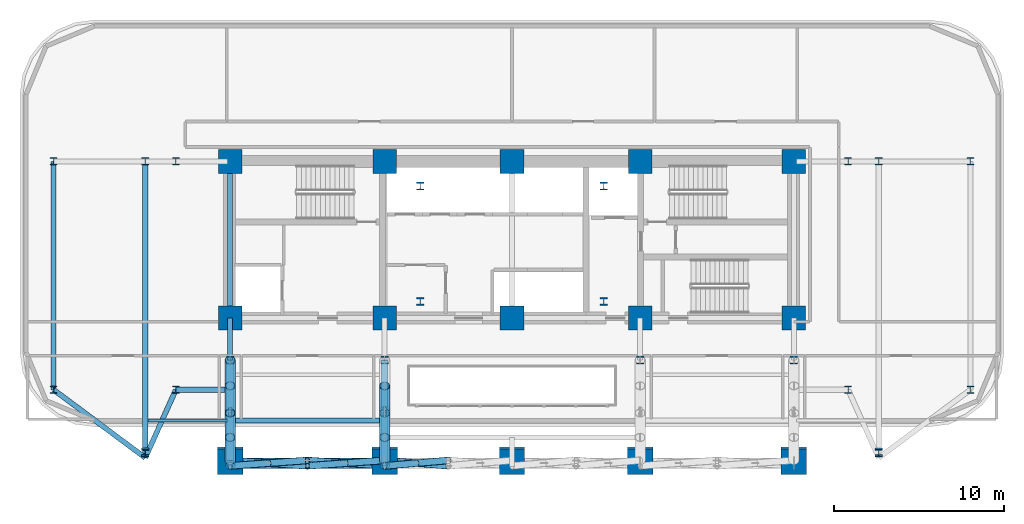
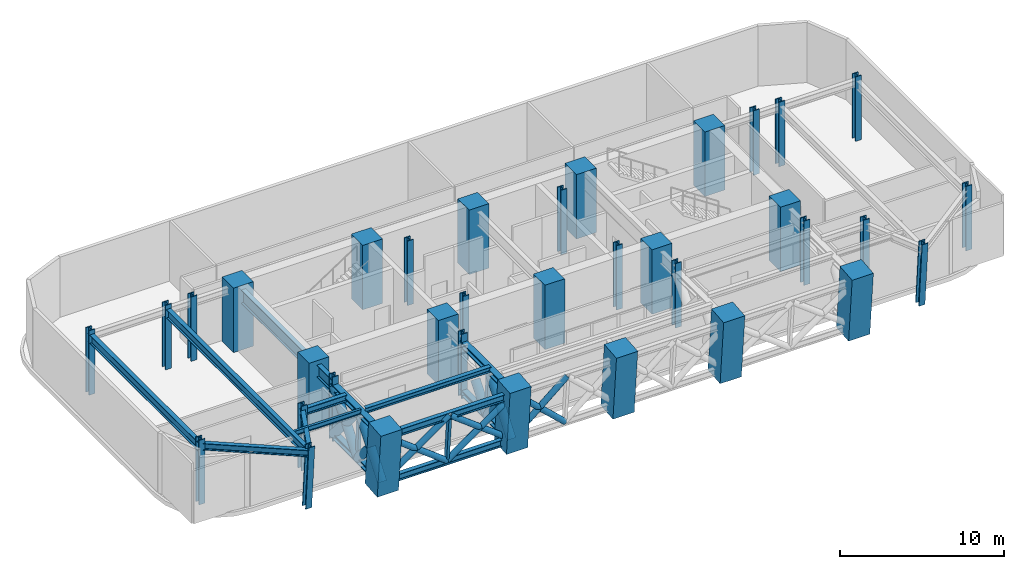
# One storey, part 1 of 12: 35 columns, 28 members, 9 beams.
"""IFC4 building model written with IfcOpenShell, lengths in metres."""

from ifc_helpers import new_model, si_unit, direction, frame, origin, origin_2d, place, context, subcontext, project, spatial, rectangle, hollow_rectangle, hollow_circle, i_section, extrude, material, material_profile, profile_set, type_object, element, save


model = new_model("IFC4")

# Units and contexts
model_context = context("Model", 3, precision=1e-05, world=origin(), true_north=direction((0.0, 1.0)))
body_context = subcontext(model_context, "Body", "Model", "MODEL_VIEW")
ifc_project = project(units=[si_unit("LENGTHUNIT", "METRE"), si_unit("AREAUNIT", "SQUARE_METRE"), si_unit("VOLUMEUNIT", "CUBIC_METRE"), si_unit("PLANEANGLEUNIT", "RADIAN"), si_unit("MASSUNIT", "GRAM", prefix="KILO")], contexts=[model_context])

# Site, building, storey
site_placement = place(None, origin())
site = spatial("IfcSite", under=ifc_project, at=site_placement, CompositionType="ELEMENT")
building_placement = place(site_placement, origin())
building = spatial("IfcBuilding", under=site, at=building_placement, Name="Zarnavel Station Tower", CompositionType="ELEMENT")
storey_placement = place(building_placement, frame((0.0, 0.0, 74.5)))
storey = spatial("IfcBuildingStorey", under=building, at=storey_placement, Name="L20", CompositionType="ELEMENT", Elevation=74.5)

# Columns
ifc_material_1 = material(Name="Steel S460M", Category="steel")
ifc_material_profile_1 = material_profile(ifc_material_1, i_section(OverallWidth=0.424072265625, OverallDepth=0.449951171875, WebThickness=0.041015625, FlangeThickness=0.06494140625, FilletRadius=0.014892578125, at=origin_2d()), Name="HD400x509")
ifc_profile_set_1 = profile_set([ifc_material_profile_1], Name="Steel S460M")
column_type_1 = type_object("IfcColumnType", Name="EC_HD509", PredefinedType="COLUMN", material=ifc_profile_set_1)
for number, where, z_axis, x_axis, name in (
    (1, (1.800048828125, 23.60009765625, 0.0), (0.0, 0.0, 1.0), (1.0, 0.0, 0.0), "L20 Outer Wing South Column 1"),
    (2, (1.800048828125, 37.050048828125, 0.0), (0.0, 0.0, 1.0), (1.0, 0.0, 0.0), "L20 Outer Wing North Column 1"),
):
    element("IfcColumn", number, at=place(storey_placement, frame(where, z_axis=z_axis, x_axis=x_axis)), inside=storey, type_object=column_type_1, Name=name, PredefinedType="COLUMN", context=body_context, shape_type="SweptSolid", body=[
        extrude(i_section(OverallWidth=0.424072265625, OverallDepth=0.449951171875, WebThickness=0.041015625, FlangeThickness=0.06494140625, FilletRadius=0.014892578125, at=origin_2d()), origin(), (0.0, 0.0, 1.0), 4.800048828125),
    ])
for number, where, z_axis, x_axis, name in (
    (3, (7.199951171875, 19.953125, 0.0), (0.0, -0.079852021662, 0.996806728828), (1.0, 0.0, 0.0), "L20 Raked Wing Column 2"),
    (4, (50.39990234375, 19.953125, 0.0), (0.0, -0.079852021662, 0.996806728828), (1.0, 0.0, 0.0), "L20 Raked Wing Column 3"),
):
    element("IfcColumn", number, at=place(storey_placement, frame(where, z_axis=z_axis, x_axis=x_axis)), inside=storey, type_object=column_type_1, Name=name, PredefinedType="COLUMN", context=body_context, shape_type="SweptSolid", body=[
        extrude(i_section(OverallWidth=0.424072265625, OverallDepth=0.449951171875, WebThickness=0.041015625, FlangeThickness=0.06494140625, FilletRadius=0.014892578125, at=origin_2d()), origin(), (0.0, 0.0, 1.0), 4.8154296875),
    ])
for number, where, z_axis, x_axis, name in (
    (5, (55.800048828125, 23.60009765625, 0.0), (0.0, 0.0, 1.0), (1.0, 0.0, 0.0), "L20 Outer Wing South Column 4"),
    (6, (55.800048828125, 37.050048828125, 0.0), (0.0, 0.0, 1.0), (1.0, 0.0, 0.0), "L20 Outer Wing North Column 4"),
):
    element("IfcColumn", number, at=place(storey_placement, frame(where, z_axis=z_axis, x_axis=x_axis)), inside=storey, type_object=column_type_1, Name=name, PredefinedType="COLUMN", context=body_context, shape_type="SweptSolid", body=[
        extrude(i_section(OverallWidth=0.424072265625, OverallDepth=0.449951171875, WebThickness=0.041015625, FlangeThickness=0.06494140625, FilletRadius=0.014892578125, at=origin_2d()), origin(), (0.0, 0.0, 1.0), 4.800048828125),
    ])
ifc_material_2 = material(Name="Steel S460M", Category="steel")
ifc_material_profile_2 = material_profile(ifc_material_2, i_section(OverallWidth=0.424072265625, OverallDepth=0.449951171875, WebThickness=0.041015625, FlangeThickness=0.06494140625, FilletRadius=0.014892578125, at=origin_2d()), Name="HD400x509")
ifc_profile_set_2 = profile_set([ifc_material_profile_2], Name="Steel S460M")
column_type_2 = type_object("IfcColumnType", Name="IC_HD509", PredefinedType="COLUMN", material=ifc_profile_set_2)
for number, where, z_axis, x_axis, name in (
    (7, (23.39990234375, 28.800048828125, 0.0), (0.0, 0.0, 1.0), (1.0, 0.0, 0.0), "L20 Mast Spine Column 1"),
    (8, (34.199951171875, 28.800048828125, 0.0), (0.0, 0.0, 1.0), (1.0, 0.0, 0.0), "L20 Mast Spine Column 2"),
    (9, (34.199951171875, 35.60009765625, 0.0), (0.0, 0.0, 1.0), (1.0, 0.0, 0.0), "L20 Mast Spine Column 3"),
    (10, (23.39990234375, 35.60009765625, 0.0), (0.0, 0.0, 1.0), (1.0, 0.0, 0.0), "L20 Mast Spine Column 4"),
    (11, (12.199951171875, 25.35009765625, 0.0), (0.0, 0.0, 1.0), (1.0, 0.0, 0.0), "L20 Inner Spine Column 1"),
    (12, (21.300048828125, 25.35009765625, 0.0), (0.0, 0.0, 1.0), (1.0, 0.0, 0.0), "L20 Inner Spine Column 2"),
    (13, (36.35009765625, 25.35009765625, 0.0), (0.0, 0.0, 1.0), (1.0, 0.0, 0.0), "L20 Inner Spine Column 4"),
    (14, (45.39990234375, 25.35009765625, 0.0), (0.0, 0.0, 1.0), (1.0, 0.0, 0.0), "L20 Inner Spine Column 5"),
    (15, (9.0, 23.60009765625, 0.0), (0.0, 0.0, 1.0), (1.0, 0.0, 0.0), "L20 Inner Wing Spine Column 1-1"),
    (16, (9.0, 37.050048828125, 0.0), (0.0, 0.0, 1.0), (1.0, 0.0, 0.0), "L20 Inner Wing Spine Column 1-2"),
    (17, (48.60009765625, 23.60009765625, 0.0), (0.0, 0.0, 1.0), (1.0, 0.0, 0.0), "L20 Inner Wing Spine Column 2-1"),
    (18, (48.60009765625, 37.050048828125, 0.0), (0.0, 0.0, 1.0), (1.0, 0.0, 0.0), "L20 Inner Wing Spine Column 2-2"),
    (19, (7.199951171875, 37.050048828125, 0.0), (0.0, 0.0, 1.0), (1.0, 0.0, 0.0), "L20 Outer Wing North Column 2"),
    (20, (50.39990234375, 37.050048828125, 0.0), (0.0, 0.0, 1.0), (1.0, 0.0, 0.0), "L20 Outer Wing North Column 3"),
):
    element("IfcColumn", number, at=place(storey_placement, frame(where, z_axis=z_axis, x_axis=x_axis)), inside=storey, type_object=column_type_2, Name=name, PredefinedType="COLUMN", context=body_context, shape_type="SweptSolid", body=[
        extrude(i_section(OverallWidth=0.424072265625, OverallDepth=0.449951171875, WebThickness=0.041015625, FlangeThickness=0.06494140625, FilletRadius=0.014892578125, at=origin_2d()), origin(), (0.0, 0.0, 1.0), 4.800048828125),
    ])
ifc_material_3 = material(Name="Concrete C60/75", Category="concrete")
ifc_material_profile_3 = material_profile(ifc_material_3, rectangle(XDim=1.39990234375, YDim=1.39990234375, at=origin_2d()), Name="RC1400x1400")
ifc_profile_set_3 = profile_set([ifc_material_profile_3], Name="Concrete C60/75")
column_type_3 = type_object("IfcColumnType", Name="IC_RC1400", PredefinedType="COLUMN", material=ifc_profile_set_3)
for number, where, z_axis, x_axis, name in (
    (21, (12.199951171875, 27.820068359375, 0.0), (0.0, 0.0, 1.0), (1.0, 0.0, 0.0), "L20 Core Spine Column 1-1"),
    (22, (12.199951171875, 37.050048828125, 0.0), (0.0, 0.0, 1.0), (1.0, 0.0, 0.0), "L20 Core Spine Column 1-2"),
    (23, (21.300048828125, 27.820068359375, 0.0), (0.0, 0.0, 1.0), (1.0, 0.0, 0.0), "L20 Core Spine Column 2-1"),
    (24, (21.300048828125, 37.050048828125, 0.0), (0.0, 0.0, 1.0), (1.0, 0.0, 0.0), "L20 Core Spine Column 2-2"),
    (25, (28.800048828125, 27.820068359375, 0.0), (0.0, 0.0, 1.0), (1.0, 0.0, 0.0), "L20 Core Spine Column 3-1"),
    (26, (28.800048828125, 37.050048828125, 0.0), (0.0, 0.0, 1.0), (1.0, 0.0, 0.0), "L20 Core Spine Column 3-2"),
    (27, (36.35009765625, 27.820068359375, 0.0), (0.0, 0.0, 1.0), (1.0, 0.0, 0.0), "L20 Core Spine Column 4-1"),
    (28, (36.35009765625, 37.050048828125, 0.0), (0.0, 0.0, 1.0), (1.0, 0.0, 0.0), "L20 Core Spine Column 4-2"),
    (29, (45.39990234375, 27.820068359375, 0.0), (0.0, 0.0, 1.0), (1.0, 0.0, 0.0), "L20 Core Spine Column 5-1"),
    (30, (45.39990234375, 37.050048828125, 0.0), (0.0, 0.0, 1.0), (1.0, 0.0, 0.0), "L20 Core Spine Column 5-2"),
):
    element("IfcColumn", number, at=place(storey_placement, frame(where, z_axis=z_axis, x_axis=x_axis)), inside=storey, type_object=column_type_3, Name=name, PredefinedType="COLUMN", context=body_context, shape_type="SweptSolid", body=[
        extrude(rectangle(XDim=1.39990234375, YDim=1.39990234375, at=origin_2d()), origin(), (0.0, 0.0, 1.0), 4.800048828125),
    ])
ifc_material_4 = material(Name="Concrete C60/75", Category="concrete")
ifc_material_profile_4 = material_profile(ifc_material_4, rectangle(XDim=1.5, YDim=1.5, at=origin_2d()), Name="RC1500x1500")
ifc_profile_set_4 = profile_set([ifc_material_profile_4], Name="Concrete C60/75")
column_type_4 = type_object("IfcColumnType", Name="MC_RC1500", PredefinedType="COLUMN", material=ifc_profile_set_4)
for number, where, z_axis, x_axis, name in (
    (31, (12.199951171875, 19.476806640625, 0.0), (0.0, -0.09026627752, 0.995917666849), (1.0, 0.0, 0.0), "L20 Raked South Mega-Column 1"),
    (32, (21.300048828125, 19.476806640625, 0.0), (0.0, -0.09026627752, 0.995917666849), (1.0, 0.0, 0.0), "L20 Raked South Mega-Column 2"),
    (33, (28.800048828125, 19.476806640625, 0.0), (0.0, -0.09026627752, 0.995917666849), (1.0, 0.0, 0.0), "L20 Raked South Mega-Column 3"),
    (34, (36.35009765625, 19.476806640625, 0.0), (0.0, -0.09026627752, 0.995917666849), (1.0, 0.0, 0.0), "L20 Raked South Mega-Column 4"),
    (35, (45.39990234375, 19.476806640625, 0.0), (0.0, -0.09026627752, 0.995917666849), (1.0, 0.0, 0.0), "L20 Raked South Mega-Column 5"),
):
    element("IfcColumn", number, at=place(storey_placement, frame(where, z_axis=z_axis, x_axis=x_axis)), inside=storey, type_object=column_type_4, Name=name, PredefinedType="COLUMN", context=body_context, shape_type="SweptSolid", body=[
        extrude(rectangle(XDim=1.5, YDim=1.5, at=origin_2d()), origin(), (0.0, 0.0, 1.0), 4.81982421875),
    ])

# Members
ifc_material_5 = material(Name="Steel S460M", Category="steel")
ifc_material_profile_5 = material_profile(ifc_material_5, i_section(OverallWidth=0.300048828125, OverallDepth=0.5, WebThickness=0.014404296875, FlangeThickness=0.028076171875, FilletRadius=0.027099609375, at=origin_2d()), Name="HEB500")
ifc_profile_set_5 = profile_set([ifc_material_profile_5], Name="Steel S460M")
member_type_1 = type_object("IfcMemberType", Name="BT_CHORD_HEB500", PredefinedType="CHORD", material=ifc_profile_set_5)
for number, where, z_axis, x_axis, name in (
    (36, (12.199951171875, 19.4404296875, 0.39990234375), (1.0, 0.0, 0.0), (0.0, 1.0, 0.0), "L20 Perimeter Belt Truss Bottom Chord 1"),
    (37, (12.199951171875, 19.1162109375, 3.97998046875), (1.0, 0.0, 0.0), (0.0, 1.0, 0.0), "L20 Perimeter Belt Truss Top Chord 1"),
):
    element("IfcMember", number, at=place(storey_placement, frame(where, z_axis=z_axis, x_axis=x_axis)), inside=storey, type_object=member_type_1, Name=name, PredefinedType="CHORD", context=body_context, shape_type="SweptSolid", body=[
        extrude(i_section(OverallWidth=0.300048828125, OverallDepth=0.5, WebThickness=0.014404296875, FlangeThickness=0.028076171875, FilletRadius=0.027099609375, at=origin_2d()), origin(), (0.0, 0.0, 1.0), 9.10009765625),
    ])
ifc_material_6 = material(Name="Steel S460M", Category="steel")
ifc_material_profile_6 = material_profile(ifc_material_6, hollow_circle(Radius=0.203125, WallThickness=0.01611328125, at=origin_2d()), Name="CHS406.4x16")
ifc_profile_set_6 = profile_set([ifc_material_profile_6], Name="Steel S460M")
member_type_2 = type_object("IfcMemberType", Name="BT_DIAG_CHS406", PredefinedType="BRACE", material=ifc_profile_set_6)
member_1_placement = place(storey_placement, frame((12.199951171875, 19.4404296875, 0.39990234375), z_axis=(0.784665886136, -0.055912233556, 0.617392313908), x_axis=(0.071075890405, 0.997470910755, 0.0)))
element("IfcMember", 38, at=member_1_placement, inside=storey, type_object=member_type_2, Name="L20 Belt Truss Continuous Diagonal A1 1", PredefinedType="BRACE", context=body_context, shape_type="SweptSolid", body=[
    extrude(hollow_circle(Radius=0.203125, WallThickness=0.01611328125, at=origin_2d()), origin(), (0.0, 0.0, 1.0), 5.798828125),
])
member_2_placement = place(storey_placement, frame((16.75, 19.4404296875, 0.39990234375), z_axis=(-0.784649705334, -0.055914080741, 0.61741271083), x_axis=(0.071079685039, -0.997470640357, 0.0)))
element("IfcMember", 39, at=member_2_placement, inside=storey, type_object=member_type_2, Name="L20 Belt Truss Split Diagonal B1 Lower 1", PredefinedType="BRACE", context=body_context, shape_type="SweptSolid", body=[
    extrude(hollow_circle(Radius=0.203125, WallThickness=0.01611328125, at=origin_2d()), origin(), (0.0, 0.0, 1.0), 2.899169921875),
])
member_3_placement = place(storey_placement, frame((14.47509765625, 19.2783203125, 2.18994140625), z_axis=(-0.784682065335, -0.055910386456, 0.617371917913), x_axis=(0.071072096175, -0.99747118111, 0.0)))
element("IfcMember", 40, at=member_3_placement, inside=storey, type_object=member_type_2, Name="L20 Belt Truss Split Diagonal B1 Upper 1", PredefinedType="BRACE", context=body_context, shape_type="SweptSolid", body=[
    extrude(hollow_circle(Radius=0.203125, WallThickness=0.01611328125, at=origin_2d()), origin(), (0.0, 0.0, 1.0), 2.8994140625),
])
member_4_placement = place(storey_placement, frame((16.75, 19.4404296875, 0.39990234375), z_axis=(0.784665886136, -0.055912233556, 0.617392313908), x_axis=(0.071075890405, 0.997470910755, 0.0)))
element("IfcMember", 41, at=member_4_placement, inside=storey, type_object=member_type_2, Name="L20 Belt Truss Continuous Diagonal A2 1", PredefinedType="BRACE", context=body_context, shape_type="SweptSolid", body=[
    extrude(hollow_circle(Radius=0.203125, WallThickness=0.01611328125, at=origin_2d()), origin(), (0.0, 0.0, 1.0), 5.798828125),
])
member_5_placement = place(storey_placement, frame((21.300048828125, 19.4404296875, 0.39990234375), z_axis=(-0.784682065335, -0.055910386456, 0.617371917913), x_axis=(0.071072096175, -0.99747118111, 0.0)))
element("IfcMember", 42, at=member_5_placement, inside=storey, type_object=member_type_2, Name="L20 Belt Truss Split Diagonal B2 Lower 1", PredefinedType="BRACE", context=body_context, shape_type="SweptSolid", body=[
    extrude(hollow_circle(Radius=0.203125, WallThickness=0.01611328125, at=origin_2d()), origin(), (0.0, 0.0, 1.0), 2.8994140625),
])
member_6_placement = place(storey_placement, frame((19.02490234375, 19.2783203125, 2.18994140625), z_axis=(-0.784649705334, -0.055914080741, 0.61741271083), x_axis=(0.071079685039, -0.997470640357, 0.0)))
element("IfcMember", 43, at=member_6_placement, inside=storey, type_object=member_type_2, Name="L20 Belt Truss Split Diagonal B2 Upper 1", PredefinedType="BRACE", context=body_context, shape_type="SweptSolid", body=[
    extrude(hollow_circle(Radius=0.203125, WallThickness=0.01611328125, at=origin_2d()), origin(), (0.0, 0.0, 1.0), 2.899169921875),
])
member_7_placement = place(storey_placement, frame((21.300048828125, 19.4404296875, 0.39990234375), z_axis=(0.721894044506, -0.062413755931, 0.689183220615), x_axis=(0.086136993838, 0.996283302225, 0.0)))
element("IfcMember", 44, at=member_7_placement, inside=storey, type_object=member_type_2, Name="L20 Belt Truss Continuous Diagonal A1 2", PredefinedType="BRACE", context=body_context, shape_type="SweptSolid", body=[
    extrude(hollow_circle(Radius=0.203125, WallThickness=0.01611328125, at=origin_2d()), origin(), (0.0, 0.0, 1.0), 5.194580078125),
])
for number, where, z_axis, x_axis, name in (
    (45, (25.050048828125, 19.4404296875, 0.39990234375), (-0.721894044506, -0.062413755931, 0.689183220615), (0.086136993838, -0.996283302225, 0.0), "L20 Belt Truss Split Diagonal B1 Lower 2"),
    (46, (23.175048828125, 19.2783203125, 2.18994140625), (-0.721894044506, -0.062413755931, 0.689183220615), (0.086136993838, -0.996283302225, 0.0), "L20 Belt Truss Split Diagonal B1 Upper 2"),
):
    element("IfcMember", number, at=place(storey_placement, frame(where, z_axis=z_axis, x_axis=x_axis)), inside=storey, type_object=member_type_2, Name=name, PredefinedType="BRACE", context=body_context, shape_type="SweptSolid", body=[
        extrude(hollow_circle(Radius=0.203125, WallThickness=0.01611328125, at=origin_2d()), origin(), (0.0, 0.0, 1.0), 2.597412109375),
    ])
ifc_material_7 = material(Name="Steel S460M", Category="steel")
ifc_material_profile_7 = material_profile(ifc_material_7, hollow_rectangle(XDim=0.199951171875, YDim=0.300048828125, WallThickness=0.012451171875, at=origin_2d()), Name="RHS300x200x12.5")
ifc_profile_set_7 = profile_set([ifc_material_profile_7], Name="Steel S460M")
member_type_3 = type_object("IfcMemberType", Name="BT_POST_RHS300", PredefinedType="POST", material=ifc_profile_set_7)
for number, where, z_axis, x_axis, name in (
    (47, (12.199951171875, 22.395263671875, 0.39990234375), (0.0, -0.045302594887, 0.998973310403), (1.0, 0.0, 0.0), "L20 Outrigger Mid-Span Post 1"),
    (48, (21.300048828125, 22.395263671875, 0.39990234375), (0.0, -0.045302594887, 0.998973310403), (1.0, 0.0, 0.0), "L20 Outrigger Mid-Span Post 2"),
):
    element("IfcMember", number, at=place(storey_placement, frame(where, z_axis=z_axis, x_axis=x_axis)), inside=storey, type_object=member_type_3, Name=name, PredefinedType="POST", context=body_context, shape_type="SweptSolid", body=[
        extrude(hollow_rectangle(XDim=0.199951171875, YDim=0.300048828125, WallThickness=0.012451171875, at=origin_2d()), origin(), (0.0, 0.0, 1.0), 3.583740234375),
    ])
member_8_placement = place(storey_placement, frame((16.75, 19.4404296875, 0.39990234375), z_axis=(0.0, -0.090192819133, 0.995924322113), x_axis=(1.0, 0.0, 0.0)))
element("IfcMember", 49, at=member_8_placement, inside=storey, type_object=member_type_3, Name="L20 Belt Truss Mid-Bay Post 1", PredefinedType="POST", context=body_context, shape_type="SweptSolid", body=[
    extrude(hollow_rectangle(XDim=0.199951171875, YDim=0.300048828125, WallThickness=0.012451171875, at=origin_2d()), origin(), (0.0, 0.0, 1.0), 3.5947265625),
])

# Beams
ifc_material_8 = material(Name="Steel S355J2", Category="steel")
ifc_material_profile_8 = material_profile(ifc_material_8, i_section(OverallWidth=0.300048828125, OverallDepth=0.389892578125, WebThickness=0.010986328125, FlangeThickness=0.01904296875, FilletRadius=0.027099609375, at=origin_2d()), Name="HEA400")
ifc_profile_set_8 = profile_set([ifc_material_profile_8], Name="Steel S355J2")
beam_type_1 = type_object("IfcBeamType", Name="FB_HEA400", PredefinedType="BEAM", material=ifc_profile_set_8)
beam_1_placement = place(storey_placement, frame((12.344970703125, 21.780517578125, 4.284912109375), z_axis=(1.0, 0.0, 0.0), x_axis=(0.0, 1.0, 0.0)))
element("IfcBeam", 50, at=beam_1_placement, inside=storey, type_object=beam_type_1, Name="L20 West Bay Beam 1", PredefinedType="BEAM", context=body_context, shape_type="SweptSolid", body=[
    extrude(i_section(OverallWidth=0.300048828125, OverallDepth=0.389892578125, WebThickness=0.010986328125, FlangeThickness=0.01904296875, FilletRadius=0.027099609375, at=origin_2d()), origin(), (0.0, 0.0, 1.0), 8.81005859375),
])
ifc_material_9 = material(Name="Steel S355J2", Category="steel")
ifc_material_profile_9 = material_profile(ifc_material_9, i_section(OverallWidth=0.300048828125, OverallDepth=0.5, WebThickness=0.014404296875, FlangeThickness=0.028076171875, FilletRadius=0.027099609375, at=origin_2d()), Name="HEB500")
ifc_profile_set_9 = profile_set([ifc_material_profile_9], Name="Steel S355J2")
beam_type_2 = type_object("IfcBeamType", Name="FG_HEB500", PredefinedType="USERDEFINED", material=ifc_profile_set_9)
beam_2_placement = place(storey_placement, frame((1.800048828125, 23.60009765625, 4.22998046875), z_axis=(0.803117645265, -0.595820482917, 0.0), x_axis=(0.595820482917, 0.803117645265, 0.0)))
element("IfcBeam", 51, at=beam_2_placement, inside=storey, type_object=beam_type_2, Name="L20 West Wing South Tie 1", ObjectType="GIRDER", PredefinedType="USERDEFINED", context=body_context, shape_type="SweptSolid", body=[
    extrude(i_section(OverallWidth=0.300048828125, OverallDepth=0.5, WebThickness=0.014404296875, FlangeThickness=0.028076171875, FilletRadius=0.027099609375, at=origin_2d()), origin(), (0.0, 0.0, 1.0), 6.7236328125),
])
beam_3_placement = place(storey_placement, frame((7.199951171875, 19.593994140625, 4.22998046875), z_axis=(0.409853799968, 0.91215122795, 0.0), x_axis=(-0.91215122795, 0.409853799968, 0.0)))
element("IfcBeam", 52, at=beam_3_placement, inside=storey, type_object=beam_type_2, Name="L20 West Wing South Tie 2", ObjectType="GIRDER", PredefinedType="USERDEFINED", context=body_context, shape_type="SweptSolid", body=[
    extrude(i_section(OverallWidth=0.300048828125, OverallDepth=0.5, WebThickness=0.014404296875, FlangeThickness=0.028076171875, FilletRadius=0.027099609375, at=origin_2d()), origin(), (0.0, 0.0, 1.0), 4.391845703125),
])
beam_4_placement = place(storey_placement, frame((9.0, 23.60009765625, 4.22998046875), z_axis=(1.0, 0.0, 0.0), x_axis=(0.0, 1.0, 0.0)))
element("IfcBeam", 53, at=beam_4_placement, inside=storey, type_object=beam_type_2, Name="L20 West Wing South Tie 3", ObjectType="GIRDER", PredefinedType="USERDEFINED", context=body_context, shape_type="SweptSolid", body=[
    extrude(i_section(OverallWidth=0.300048828125, OverallDepth=0.5, WebThickness=0.014404296875, FlangeThickness=0.028076171875, FilletRadius=0.027099609375, at=origin_2d()), origin(), (0.0, 0.0, 1.0), 3.054931640625),
])
ifc_material_10 = material(Name="Steel S355J2", Category="steel")
ifc_material_profile_10 = material_profile(ifc_material_10, i_section(OverallWidth=0.300048828125, OverallDepth=0.64990234375, WebThickness=0.01611328125, FlangeThickness=0.031005859375, FilletRadius=0.027099609375, at=origin_2d()), Name="HEB650")
ifc_profile_set_10 = profile_set([ifc_material_profile_10], Name="Steel S355J2")
beam_type_3 = type_object("IfcBeamType", Name="FG_HEB650", PredefinedType="USERDEFINED", material=ifc_profile_set_10)
beam_5_placement = place(storey_placement, frame((1.800048828125, 23.60009765625, 4.155029296875), z_axis=(0.0, 1.0, 0.0), x_axis=(-1.0, 0.0, 0.0)))
element("IfcBeam", 54, at=beam_5_placement, inside=storey, type_object=beam_type_3, Name="L20 Wing NS Girder 1", ObjectType="GIRDER", PredefinedType="USERDEFINED", context=body_context, shape_type="SweptSolid", body=[
    extrude(i_section(OverallWidth=0.300048828125, OverallDepth=0.64990234375, WebThickness=0.01611328125, FlangeThickness=0.031005859375, FilletRadius=0.027099609375, at=origin_2d()), origin(), (0.0, 0.0, 1.0), 13.449951171875),
])
beam_6_placement = place(storey_placement, frame((7.199951171875, 19.593994140625, 4.155029296875), z_axis=(0.0, 1.0, 0.0), x_axis=(-1.0, 0.0, 0.0)))
element("IfcBeam", 55, at=beam_6_placement, inside=storey, type_object=beam_type_3, Name="L20 Wing NS Girder 2", ObjectType="GIRDER", PredefinedType="USERDEFINED", context=body_context, shape_type="SweptSolid", body=[
    extrude(i_section(OverallWidth=0.300048828125, OverallDepth=0.64990234375, WebThickness=0.01611328125, FlangeThickness=0.031005859375, FilletRadius=0.027099609375, at=origin_2d()), origin(), (0.0, 0.0, 1.0), 17.4560546875),
])
ifc_material_11 = material(Name="Steel S355J2", Category="steel")
ifc_material_profile_11 = material_profile(ifc_material_11, i_section(OverallWidth=0.169921875, OverallDepth=0.360107421875, WebThickness=0.008056640625, FlangeThickness=0.0126953125, FilletRadius=0.01806640625, at=origin_2d()), Name="IPE360")
ifc_profile_set_11 = profile_set([ifc_material_profile_11], Name="Steel S355J2")
beam_type_4 = type_object("IfcBeamType", Name="FJ_IPE360", PredefinedType="JOIST", material=ifc_profile_set_11)
beam_7_placement = place(storey_placement, frame((7.344970703125, 21.780517578125, 4.300048828125), z_axis=(1.0, 0.0, 0.0), x_axis=(0.0, 1.0, 0.0)))
element("IfcBeam", 56, at=beam_7_placement, inside=storey, type_object=beam_type_4, Name="L20 West Wing Joist 1", PredefinedType="JOIST", context=body_context, shape_type="SweptSolid", body=[
    extrude(i_section(OverallWidth=0.169921875, OverallDepth=0.360107421875, WebThickness=0.008056640625, FlangeThickness=0.0126953125, FilletRadius=0.01806640625, at=origin_2d()), origin(), (0.0, 0.0, 1.0), 4.7099609375),
])

# Members
ifc_material_12 = material(Name="Steel S460M", Category="steel")
ifc_material_profile_12 = material_profile(ifc_material_12, i_section(OverallWidth=0.41796875, OverallDepth=0.431884765625, WebThickness=0.034912109375, FlangeThickness=0.055908203125, FilletRadius=0.014892578125, at=origin_2d()), Name="HD400x421")
ifc_profile_set_12 = profile_set([ifc_material_profile_12], Name="Steel S460M")
member_type_4 = type_object("IfcMemberType", Name="OT_CHORD_HD421", PredefinedType="CHORD", material=ifc_profile_set_12)
member_9_placement = place(storey_placement, frame((12.199951171875, 19.4404296875, 0.39990234375), z_axis=(0.0, 1.0, 0.0), x_axis=(-1.0, 0.0, 0.0)))
element("IfcMember", 57, at=member_9_placement, inside=storey, type_object=member_type_4, Name="L20 Outrigger Bottom Chord 1", PredefinedType="CHORD", context=body_context, shape_type="SweptSolid", body=[
    extrude(i_section(OverallWidth=0.41796875, OverallDepth=0.431884765625, WebThickness=0.034912109375, FlangeThickness=0.055908203125, FilletRadius=0.014892578125, at=origin_2d()), origin(), (0.0, 0.0, 1.0), 5.90966796875),
])
member_10_placement = place(storey_placement, frame((12.199951171875, 19.1162109375, 3.97998046875), z_axis=(0.0, 1.0, 0.0), x_axis=(-1.0, 0.0, 0.0)))
element("IfcMember", 58, at=member_10_placement, inside=storey, type_object=member_type_4, Name="L20 Outrigger Top Chord 1", PredefinedType="CHORD", context=body_context, shape_type="SweptSolid", body=[
    extrude(i_section(OverallWidth=0.41796875, OverallDepth=0.431884765625, WebThickness=0.034912109375, FlangeThickness=0.055908203125, FilletRadius=0.014892578125, at=origin_2d()), origin(), (0.0, 0.0, 1.0), 6.23388671875),
])
member_11_placement = place(storey_placement, frame((21.300048828125, 19.4404296875, 0.39990234375), z_axis=(0.0, 1.0, 0.0), x_axis=(-1.0, 0.0, 0.0)))
element("IfcMember", 59, at=member_11_placement, inside=storey, type_object=member_type_4, Name="L20 Outrigger Bottom Chord 2", PredefinedType="CHORD", context=body_context, shape_type="SweptSolid", body=[
    extrude(i_section(OverallWidth=0.41796875, OverallDepth=0.431884765625, WebThickness=0.034912109375, FlangeThickness=0.055908203125, FilletRadius=0.014892578125, at=origin_2d()), origin(), (0.0, 0.0, 1.0), 5.90966796875),
])
member_12_placement = place(storey_placement, frame((21.300048828125, 19.1162109375, 3.97998046875), z_axis=(0.0, 1.0, 0.0), x_axis=(-1.0, 0.0, 0.0)))
element("IfcMember", 60, at=member_12_placement, inside=storey, type_object=member_type_4, Name="L20 Outrigger Top Chord 2", PredefinedType="CHORD", context=body_context, shape_type="SweptSolid", body=[
    extrude(i_section(OverallWidth=0.41796875, OverallDepth=0.431884765625, WebThickness=0.034912109375, FlangeThickness=0.055908203125, FilletRadius=0.014892578125, at=origin_2d()), origin(), (0.0, 0.0, 1.0), 6.23388671875),
])
ifc_material_13 = material(Name="Steel S460M", Category="steel")
ifc_material_profile_13 = material_profile(ifc_material_13, hollow_circle(Radius=0.304931640625, WallThickness=0.02490234375, at=origin_2d()), Name="CHS610x25")
ifc_profile_set_13 = profile_set([ifc_material_profile_13], Name="Steel S460M")
member_type_5 = type_object("IfcMemberType", Name="OT_DIAG_CHS610", PredefinedType="STRUT", material=ifc_profile_set_13)
member_13_placement = place(storey_placement, frame((12.199951171875, 25.35009765625, 0.39990234375), z_axis=(0.0, -0.656667528938, 0.75418018831), x_axis=(1.0, 0.0, 0.0)))
element("IfcMember", 61, at=member_13_placement, inside=storey, type_object=member_type_5, Name="L20 Outrigger Continuous Inner Diagonal 1", PredefinedType="STRUT", context=body_context, shape_type="SweptSolid", body=[
    extrude(hollow_circle(Radius=0.304931640625, WallThickness=0.02490234375, at=origin_2d()), origin(), (0.0, 0.0, 1.0), 4.7470703125),
])
member_14_placement = place(storey_placement, frame((12.199951171875, 22.395263671875, 0.39990234375), z_axis=(0.0, 0.625952445523, 0.779861228645), x_axis=(-1.0, 0.0, 0.0)))
element("IfcMember", 62, at=member_14_placement, inside=storey, type_object=member_type_5, Name="L20 Outrigger Split Inner Strut Lower 1", PredefinedType="STRUT", context=body_context, shape_type="SweptSolid", body=[
    extrude(hollow_circle(Radius=0.304931640625, WallThickness=0.02490234375, at=origin_2d()), origin(), (0.0, 0.0, 1.0), 2.29541015625),
])
member_15_placement = place(storey_placement, frame((12.199951171875, 23.83203125, 2.18994140625), z_axis=(0.0, 0.646790494346, 0.762667723471), x_axis=(-1.0, 0.0, 0.0)))
element("IfcMember", 63, at=member_15_placement, inside=storey, type_object=member_type_5, Name="L20 Outrigger Split Inner Strut Upper 1", PredefinedType="STRUT", context=body_context, shape_type="SweptSolid", body=[
    extrude(hollow_circle(Radius=0.304931640625, WallThickness=0.02490234375, at=origin_2d()), origin(), (0.0, 0.0, 1.0), 2.34716796875),
])
member_16_placement = place(storey_placement, frame((12.199951171875, 22.395263671875, 0.39990234375), z_axis=(0.0, -0.67542398033, 0.737429621588), x_axis=(1.0, 0.0, 0.0)))
element("IfcMember", 64, at=member_16_placement, inside=storey, type_object=member_type_5, Name="L20 Outrigger Continuous Outer Diagonal 1", PredefinedType="STRUT", context=body_context, shape_type="SweptSolid", body=[
    extrude(hollow_circle(Radius=0.304931640625, WallThickness=0.02490234375, at=origin_2d()), origin(), (0.0, 0.0, 1.0), 4.854736328125),
])
member_17_placement = place(storey_placement, frame((12.199951171875, 19.4404296875, 0.39990234375), z_axis=(0.0, 0.603750923841, 0.797173018837), x_axis=(-1.0, 0.0, 0.0)))
element("IfcMember", 65, at=member_17_placement, inside=storey, type_object=member_type_5, Name="L20 Outrigger Split Outer Strut Lower 1", PredefinedType="STRUT", context=body_context, shape_type="SweptSolid", body=[
    extrude(hollow_circle(Radius=0.304931640625, WallThickness=0.02490234375, at=origin_2d()), origin(), (0.0, 0.0, 1.0), 2.24560546875),
])
for number, where, z_axis, x_axis, name in (
    (66, (12.199951171875, 20.796142578125, 2.18994140625), (0.0, 0.625952445523, 0.779861228645), (-1.0, 0.0, 0.0), "L20 Outrigger Split Outer Strut Upper 1"),
    (67, (21.300048828125, 22.395263671875, 0.39990234375), (0.0, 0.625952445523, 0.779861228645), (-1.0, 0.0, 0.0), "L20 Outrigger Split Inner Strut Lower 2"),
):
    element("IfcMember", number, at=place(storey_placement, frame(where, z_axis=z_axis, x_axis=x_axis)), inside=storey, type_object=member_type_5, Name=name, PredefinedType="STRUT", context=body_context, shape_type="SweptSolid", body=[
        extrude(hollow_circle(Radius=0.304931640625, WallThickness=0.02490234375, at=origin_2d()), origin(), (0.0, 0.0, 1.0), 2.29541015625),
    ])
member_18_placement = place(storey_placement, frame((21.300048828125, 22.395263671875, 0.39990234375), z_axis=(0.0, -0.67542398033, 0.737429621588), x_axis=(1.0, 0.0, 0.0)))
element("IfcMember", 68, at=member_18_placement, inside=storey, type_object=member_type_5, Name="L20 Outrigger Continuous Outer Diagonal 2", PredefinedType="STRUT", context=body_context, shape_type="SweptSolid", body=[
    extrude(hollow_circle(Radius=0.304931640625, WallThickness=0.02490234375, at=origin_2d()), origin(), (0.0, 0.0, 1.0), 4.854736328125),
])
member_19_placement = place(storey_placement, frame((21.300048828125, 19.4404296875, 0.39990234375), z_axis=(0.0, 0.603750923841, 0.797173018837), x_axis=(-1.0, 0.0, 0.0)))
element("IfcMember", 69, at=member_19_placement, inside=storey, type_object=member_type_5, Name="L20 Outrigger Split Outer Strut Lower 2", PredefinedType="STRUT", context=body_context, shape_type="SweptSolid", body=[
    extrude(hollow_circle(Radius=0.304931640625, WallThickness=0.02490234375, at=origin_2d()), origin(), (0.0, 0.0, 1.0), 2.24560546875),
])
member_20_placement = place(storey_placement, frame((21.300048828125, 20.796142578125, 2.18994140625), z_axis=(0.0, 0.625952445523, 0.779861228645), x_axis=(-1.0, 0.0, 0.0)))
element("IfcMember", 70, at=member_20_placement, inside=storey, type_object=member_type_5, Name="L20 Outrigger Split Outer Strut Upper 2", PredefinedType="STRUT", context=body_context, shape_type="SweptSolid", body=[
    extrude(hollow_circle(Radius=0.304931640625, WallThickness=0.02490234375, at=origin_2d()), origin(), (0.0, 0.0, 1.0), 2.29541015625),
])

# Beams
ifc_material_14 = material(Name="Steel S460M", Category="steel")
ifc_material_profile_14 = material_profile(ifc_material_14, i_section(OverallWidth=0.302001953125, OverallDepth=1.008056640625, WebThickness=0.02099609375, FlangeThickness=0.0400390625, FilletRadius=0.030029296875, at=origin_2d()), Name="HEM1000")
ifc_profile_set_14 = profile_set([ifc_material_profile_14], Name="Steel S460M")
beam_type_5 = type_object("IfcBeamType", Name="TG_HEM1000", PredefinedType="USERDEFINED", material=ifc_profile_set_14)
beam_8_placement = place(storey_placement, frame((12.199951171875, 27.820068359375, 3.97607421875), z_axis=(0.0, 1.0, 0.0), x_axis=(-1.0, 0.0, 0.0)))
element("IfcBeam", 71, at=beam_8_placement, inside=storey, type_object=beam_type_5, Name="L20 Core Spine Coupling Girder 1", ObjectType="GIRDER", PredefinedType="USERDEFINED", context=body_context, shape_type="SweptSolid", body=[
    extrude(i_section(OverallWidth=0.302001953125, OverallDepth=1.008056640625, WebThickness=0.02099609375, FlangeThickness=0.0400390625, FilletRadius=0.030029296875, at=origin_2d()), origin(), (0.0, 0.0, 1.0), 9.22998046875),
])
ifc_material_15 = material(Name="Steel S460M", Category="steel")
ifc_material_profile_15 = material_profile(ifc_material_15, i_section(OverallWidth=0.302001953125, OverallDepth=0.909912109375, WebThickness=0.02099609375, FlangeThickness=0.0400390625, FilletRadius=0.030029296875, at=origin_2d()), Name="HEM900")
ifc_profile_set_15 = profile_set([ifc_material_profile_15], Name="Steel S460M")
beam_type_6 = type_object("IfcBeamType", Name="TG_HEM900", PredefinedType="USERDEFINED", material=ifc_profile_set_15)
beam_9_placement = place(storey_placement, frame((12.199951171875, 25.35009765625, 4.02490234375), z_axis=(0.0, 1.0, 0.0), x_axis=(-1.0, 0.0, 0.0)))
element("IfcBeam", 72, at=beam_9_placement, inside=storey, type_object=beam_type_6, Name="L20 Inner-Zone NS Girder 1", ObjectType="GIRDER", PredefinedType="USERDEFINED", context=body_context, shape_type="SweptSolid", body=[
    extrude(i_section(OverallWidth=0.302001953125, OverallDepth=0.909912109375, WebThickness=0.02099609375, FlangeThickness=0.0400390625, FilletRadius=0.030029296875, at=origin_2d()), origin(), (0.0, 0.0, 1.0), 2.469970703125),
])

save(model, "model.ifc")
